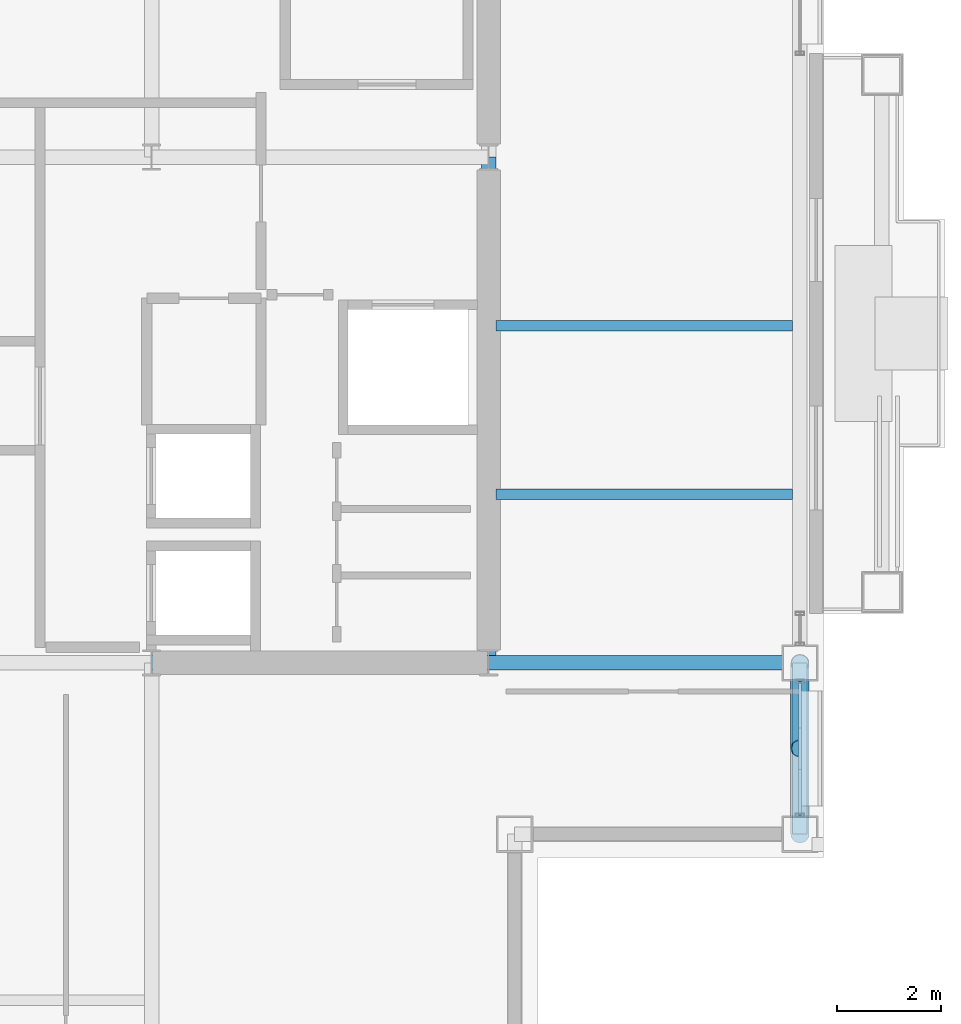
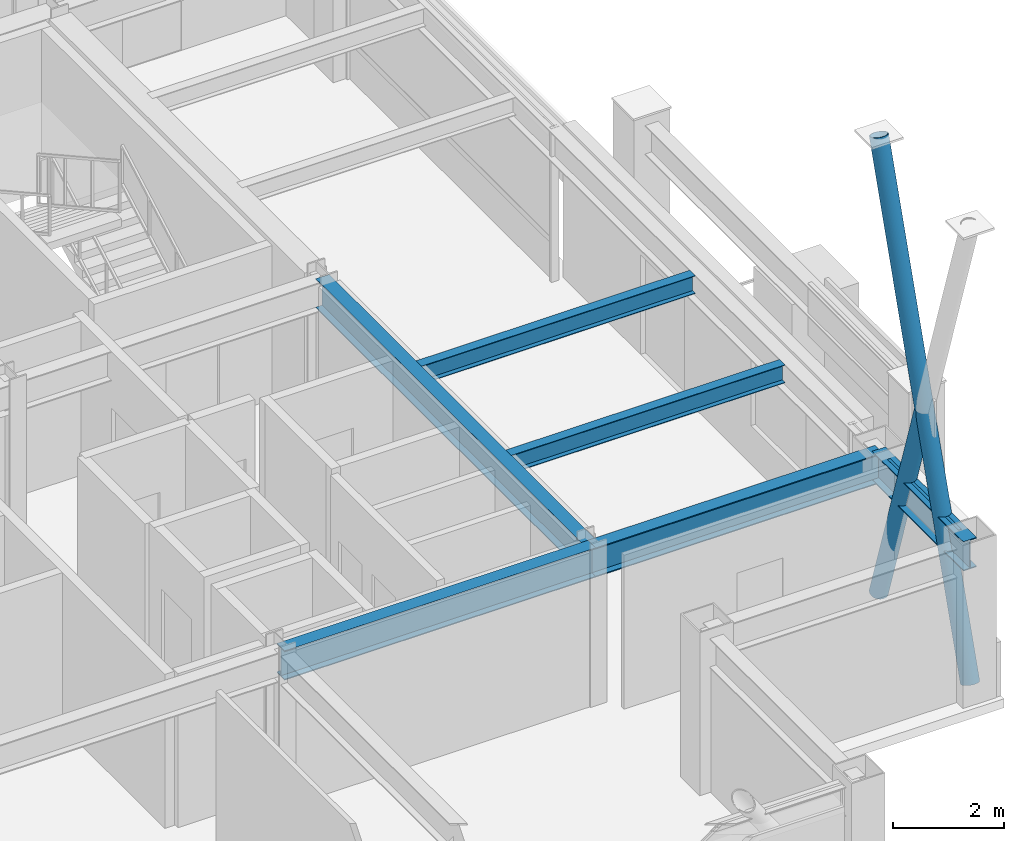
# One storey, part 15 of 33: 6 beams, 3 members, 1 element without a shape of its own.
"""IFC4 building model written with IfcOpenShell, lengths in metres."""

from ifc_helpers import new_model, si_unit, direction, frame, origin, origin_2d, place, context, subcontext, project, spatial, hollow_rectangle, hollow_circle, i_section, extrude, material, layer, layer_set, material_profile, profile_set, type_object, element, aggregate, save


model = new_model("IFC4")

# Units and contexts
model_context = context("Model", 3, precision=1e-05, world=origin(), true_north=direction((0.0, 1.0)))
body_context = subcontext(model_context, "Body", "Model", "MODEL_VIEW")
ifc_project = project(units=[si_unit("LENGTHUNIT", "METRE"), si_unit("AREAUNIT", "SQUARE_METRE"), si_unit("VOLUMEUNIT", "CUBIC_METRE"), si_unit("PLANEANGLEUNIT", "RADIAN"), si_unit("MASSUNIT", "GRAM", prefix="KILO")], contexts=[model_context])

# Site, building, storey
site_placement = place(None, origin())
site = spatial("IfcSite", under=ifc_project, at=site_placement, CompositionType="ELEMENT")
building_placement = place(site_placement, origin())
building = spatial("IfcBuilding", under=site, at=building_placement, Name="Brelmoor Portico Tower", CompositionType="ELEMENT")
storey_placement = place(building_placement, frame((0.0, 0.0, 183.89990234375)))
storey = spatial("IfcBuildingStorey", under=building, at=storey_placement, Name="L48", CompositionType="ELEMENT", Elevation=183.89990234375)

# Beams
ifc_material_1 = material(Name="Steel Q355B", Category="steel")
ifc_material_profile_1 = material_profile(ifc_material_1, i_section(OverallWidth=0.199951171875, OverallDepth=0.39990234375, WebThickness=0.008056640625, FlangeThickness=0.012939453125, at=origin_2d()), Name="HN 400x200x8x13")
ifc_profile_set_1 = profile_set([ifc_material_profile_1], Name="Steel Q355B")
beam_type_1 = type_object("IfcBeamType", Name="BM-JS-400", PredefinedType="JOIST", material=ifc_profile_set_1)
for number, where, z_axis, x_axis, name in (
    (1, (14.68994140625, -6.5, 3.2001953125), (1.0, 0.0, 0.0), (0.0, 1.0, 0.0), "L48 Secondary Wing Joist JS-E09"),
    (2, (14.68994140625, -3.25, 3.2001953125), (1.0, 0.0, 0.0), (0.0, 1.0, 0.0), "L48 Secondary Wing Joist JS-E10"),
):
    element("IfcBeam", number, at=place(storey_placement, frame(where, z_axis=z_axis, x_axis=x_axis)), inside=storey, type_object=beam_type_1, Name=name, PredefinedType="JOIST", context=body_context, shape_type="SweptSolid", body=[
        extrude(i_section(OverallWidth=0.199951171875, OverallDepth=0.39990234375, WebThickness=0.008056640625, FlangeThickness=0.012939453125, at=origin_2d()), origin(), (0.0, 0.0, 1.0), 5.719970703125),
    ])
ifc_material_profile_2 = material_profile(ifc_material_1, i_section(OverallWidth=0.280029296875, OverallDepth=0.64990234375, WebThickness=0.012939453125, FlangeThickness=0.02197265625, at=origin_2d()), Name="HN 650x280x13x22")
ifc_profile_set_2 = profile_set([ifc_material_profile_2], Name="Steel Q355B")
beam_type_2 = type_object("IfcBeamType", Name="BM-PG-650", PredefinedType="BEAM", material=ifc_profile_set_2)
beam_1_placement = place(storey_placement, frame((14.550048828125, -9.75, 3.0751953125), z_axis=(0.0, 1.0, 0.0), x_axis=(-1.0, 0.0, 0.0)))
element("IfcBeam", 3, at=beam_1_placement, inside=storey, type_object=beam_type_2, Name="L48 Primary Floor Girder PG-09", PredefinedType="BEAM", context=body_context, shape_type="SweptSolid", body=[
    extrude(i_section(OverallWidth=0.280029296875, OverallDepth=0.64990234375, WebThickness=0.012939453125, FlangeThickness=0.02197265625, at=origin_2d()), origin(), (0.0, 0.0, 1.0), 9.75),
])
beam_2_placement = place(storey_placement, frame((8.050048828125, -9.75, 3.0751953125), z_axis=(1.0, 0.0, 0.0), x_axis=(0.0, 1.0, 0.0)))
element("IfcBeam", 4, at=beam_2_placement, inside=storey, type_object=beam_type_2, Name="L48 Primary Floor Girder PG-14", PredefinedType="BEAM", context=body_context, shape_type="SweptSolid", body=[
    extrude(i_section(OverallWidth=0.280029296875, OverallDepth=0.64990234375, WebThickness=0.012939453125, FlangeThickness=0.02197265625, at=origin_2d()), origin(), (0.0, 0.0, 1.0), 6.5),
])
beam_3_placement = place(storey_placement, frame((14.550048828125, -9.75, 3.0751953125), z_axis=(1.0, 0.0, 0.0), x_axis=(0.0, 1.0, 0.0)))
element("IfcBeam", 5, at=beam_3_placement, inside=storey, type_object=beam_type_2, Name="L48 Primary Floor Girder PG-15", PredefinedType="BEAM", context=body_context, shape_type="SweptSolid", body=[
    extrude(i_section(OverallWidth=0.280029296875, OverallDepth=0.64990234375, WebThickness=0.012939453125, FlangeThickness=0.02197265625, at=origin_2d()), origin(), (0.0, 0.0, 1.0), 6.0),
])
ifc_material_profile_3 = material_profile(ifc_material_1, i_section(OverallWidth=0.280029296875, OverallDepth=0.64990234375, WebThickness=0.012939453125, FlangeThickness=0.02197265625, at=origin_2d()), Name="HN 650x280x13x22")
ifc_profile_set_3 = profile_set([ifc_material_profile_3], Name="Steel Q355B")
beam_type_3 = type_object("IfcBeamType", Name="BM-SP-650", PredefinedType="SPANDREL", material=ifc_profile_set_3)
beam_4_placement = place(storey_placement, frame((20.550048828125, -13.050048828125, 3.0751953125), z_axis=(0.0, 1.0, 0.0), x_axis=(-1.0, 0.0, 0.0)))
element("IfcBeam", 6, at=beam_4_placement, inside=storey, type_object=beam_type_3, Name="L48 Perimeter Spandrel Beam SP-18", PredefinedType="SPANDREL", context=body_context, shape_type="SweptSolid", body=[
    extrude(i_section(OverallWidth=0.280029296875, OverallDepth=0.64990234375, WebThickness=0.012939453125, FlangeThickness=0.02197265625, at=origin_2d()), origin(), (0.0, 0.0, 1.0), 3.300048828125),
])

# Members
ifc_material_profile_4 = material_profile(ifc_material_1, hollow_circle(Radius=0.177978515625, WallThickness=0.01611328125, at=origin_2d()), Name="CHS 356x16")
ifc_profile_set_4 = profile_set([ifc_material_profile_4], Name="Steel Q355B")
member_type_1 = type_object("IfcMemberType", Name="MB-BELT-DIAG2", PredefinedType="BRACE", material=ifc_profile_set_4)
member_1_placement = place(storey_placement, frame((20.550048828125, -13.050048828125, 0.25), z_axis=(0.0, 0.310576778545, 0.950548296842), x_axis=(-1.0, 0.0, 0.0)))
element("IfcMember", 7, at=member_1_placement, inside=storey, type_object=member_type_1, Name="L48 Continuous Mega-X Brace 114A", PredefinedType="BRACE", context=body_context, shape_type="SweptSolid", body=[
    extrude(hollow_circle(Radius=0.177978515625, WallThickness=0.01611328125, at=origin_2d()), origin(), (0.0, 0.0, 1.0), 10.62548828125),
])
member_2_placement = place(storey_placement, frame((20.550048828125, -9.75, 0.25), z_axis=(0.0, -0.310556017859, 0.95055507982), x_axis=(1.0, 0.0, 0.0)))
element("IfcMember", 8, at=member_2_placement, inside=storey, type_object=member_type_1, Name="L48 Split Mega-X Brace 114B1", PredefinedType="BRACE", context=body_context, shape_type="SweptSolid", body=[
    extrude(hollow_circle(Radius=0.177978515625, WallThickness=0.01611328125, at=origin_2d()), origin(), (0.0, 0.0, 1.0), 5.312744140625),
])

# Curtain wall, member
ifc_material_2 = material(Name="Anodised Aluminium Alloy 6063-T6", Category="aluminium")
ifc_layer = layer(ifc_material_2, 0.179931640625)
ifc_layer_set = layer_set([ifc_layer], Name="Anodised Aluminium Alloy 6063-T6")
curtain_wall_type = type_object("IfcCurtainWallType", Name="CW-TOWER-Z3-XB", PredefinedType="NOTDEFINED", material=ifc_layer_set)
curtain_wall_placement = place(storey_placement, origin())
curtain_wall = element("IfcCurtainWall", 9, at=curtain_wall_placement, inside=storey, type_object=curtain_wall_type, Name="L48 Curtain Wall CW-L48-4L-1", PredefinedType="NOTDEFINED")
ifc_material_profile_5 = material_profile(ifc_material_2, hollow_rectangle(XDim=0.06005859375, YDim=0.125, WallThickness=0.00341796875, at=origin_2d()), Name="ALU TRANSOM 60x125")
ifc_profile_set_5 = profile_set([ifc_material_profile_5], Name="Anodised Aluminium Alloy 6063-T6")
member_type_2 = type_object("IfcMemberType", Name="MB-CW-TRAN-125", PredefinedType="USERDEFINED", material=ifc_profile_set_5)
member_3_placement = place(storey_placement, frame((20.550048828125, -12.68994140625, 3.337646484375), z_axis=(0.0, 1.0, 0.0), x_axis=(-1.0, 0.0, 0.0)))
member_3 = element("IfcMember", 10, at=member_3_placement, type_object=member_type_2, Name="CW-L48-4L-1 Transom 1-00", ObjectType="TRANSOM", PredefinedType="USERDEFINED", context=body_context, shape_type="SweptSolid", body=[
    extrude(hollow_rectangle(XDim=0.06005859375, YDim=0.125, WallThickness=0.00341796875, at=origin_2d()), origin(), (0.0, 0.0, 1.0), 2.579833984375),
])
aggregate(curtain_wall, [member_3])

save(model, "model.ifc")
